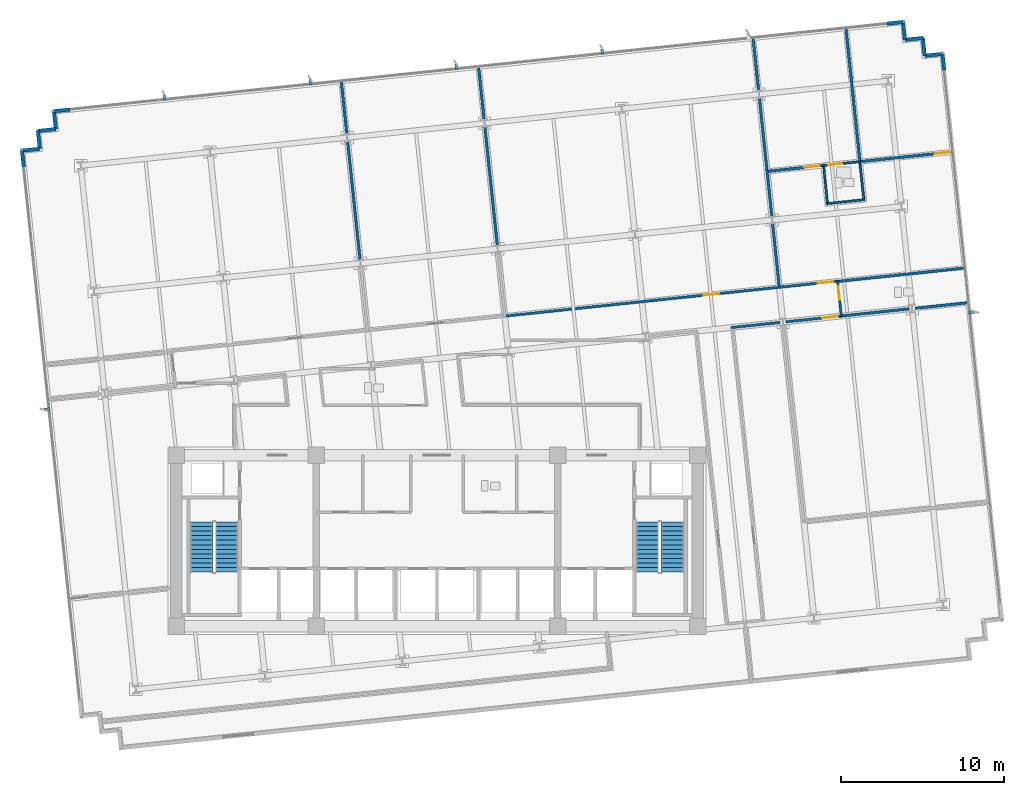
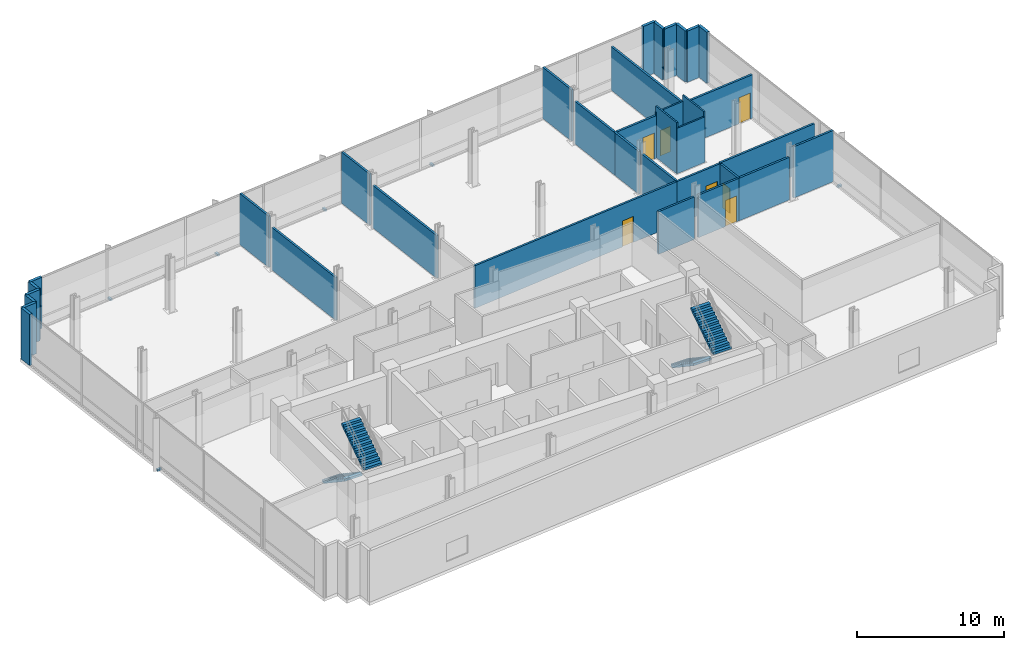
# One storey, part 14 of 20: 35 walls, 7 doors, 6 discrete accessories, 4 stair flights, 7 openings, 2 elements without a shape of their own.
"""IFC4 building model written with IfcOpenShell, lengths in metres."""

from ifc_helpers import new_model, si_unit, direction, frame, frame_2d, origin, origin_2d, place, context, subcontext, project, spatial, polyline, rectangle, outline, extrude, material, layer, layer_set, type_object, element, fill, aggregate, save


model = new_model("IFC4")

# Units and contexts
model_context = context("Model", 3, precision=1e-05, world=origin(), true_north=direction((0.0, 1.0)))
body_context = subcontext(model_context, "Body", "Model", "MODEL_VIEW")
ifc_project = project(units=[si_unit("LENGTHUNIT", "METRE"), si_unit("AREAUNIT", "SQUARE_METRE"), si_unit("VOLUMEUNIT", "CUBIC_METRE"), si_unit("PLANEANGLEUNIT", "RADIAN"), si_unit("MASSUNIT", "GRAM", prefix="KILO")], contexts=[model_context])

# Site, building, storey
site_placement = place(None, origin())
site = spatial("IfcSite", under=ifc_project, at=site_placement, CompositionType="ELEMENT")
building_placement = place(site_placement, origin())
building = spatial("IfcBuilding", under=site, at=building_placement, Name="Solmavex Isthmus Hotel", CompositionType="ELEMENT")
storey_placement = place(building_placement, frame((0.0, 0.0, 101.85009765625)))
storey = spatial("IfcBuildingStorey", under=building, at=storey_placement, Name="L27", CompositionType="ELEMENT", Elevation=101.85009765625)

# Walls
ifc_material_1 = material(Name="Precast Concrete C40/50", Category="concrete")
ifc_layer_1 = layer(ifc_material_1, 0.25)
ifc_layer_set_1 = layer_set([ifc_layer_1], Name="Precast Concrete C40/50")
wall_type_1 = type_object("IfcWallType", Name="EW-TWR-250", PredefinedType="STANDARD", material=ifc_layer_set_1)
wall_1_placement = place(storey_placement, frame((-25.35400390625, 15.1923828125, 0.0), z_axis=(0.0, 0.0, 1.0), x_axis=(-0.104556418955, 0.99451895671, 0.0)))
element("IfcWall", 1, at=wall_1_placement, inside=storey, type_object=wall_type_1, Name="Serrated Corner Facade Panel L27-07", PredefinedType="STANDARD", context=body_context, shape_type="SweptSolid", body=[
    extrude(rectangle(XDim=0.989990234375, YDim=0.219970703125, at=frame_2d((0.4951171875, 0.0))), origin(), (0.0, 0.0, 1.0), 4.239990234375),
])
wall_2_placement = place(storey_placement, frame((-25.45751953125, 16.177001953125, 0.0), z_axis=(0.0, 0.0, 1.0), x_axis=(0.994521251134, 0.104534592565, 0.0)))
element("IfcWall", 2, at=wall_2_placement, inside=storey, type_object=wall_type_1, Name="Serrated Corner Facade Panel L27-08", PredefinedType="STANDARD", context=body_context, shape_type="SweptSolid", body=[
    extrude(rectangle(XDim=1.10009765625, YDim=0.219970703125, at=frame_2d((0.550048828125, 0.0))), origin(), (0.0, 0.0, 1.0), 4.239990234375),
])
wall_3_placement = place(storey_placement, frame((-24.363525390625, 16.2919921875, 0.0), z_axis=(0.0, 0.0, 1.0), x_axis=(-0.104557671117, 0.994518825066, 0.0)))
element("IfcWall", 3, at=wall_3_placement, inside=storey, type_object=wall_type_1, Name="Serrated Corner Facade Panel L27-09", PredefinedType="STANDARD", context=body_context, shape_type="SweptSolid", body=[
    extrude(rectangle(XDim=1.099853515625, YDim=0.219970703125, at=frame_2d((0.5498046875, 0.0))), origin(), (0.0, 0.0, 1.0), 4.239990234375),
])
for number, where, z_axis, x_axis, name in (
    (4, (-24.478515625, 17.3857421875, 0.0), (0.0, 0.0, 1.0), (0.994521251134, 0.104534592565, 0.0), "Serrated Corner Facade Panel L27-10"),
    (5, (-23.384521484375, 17.500732421875, 0.0), (0.0, 0.0, 1.0), (-0.104534592565, 0.994521251134, 0.0), "Serrated Corner Facade Panel L27-11"),
):
    element("IfcWall", number, at=place(storey_placement, frame(where, z_axis=z_axis, x_axis=x_axis)), inside=storey, type_object=wall_type_1, Name=name, PredefinedType="STANDARD", context=body_context, shape_type="SweptSolid", body=[
        extrude(rectangle(XDim=1.10009765625, YDim=0.219970703125, at=frame_2d((0.550048828125, 0.0))), origin(), (0.0, 0.0, 1.0), 4.239990234375),
    ])
wall_4_placement = place(storey_placement, frame((-23.49951171875, 18.5947265625, 0.0), z_axis=(0.0, 0.0, 1.0), x_axis=(0.99451895671, 0.104556418955, 0.0)))
element("IfcWall", 6, at=wall_4_placement, inside=storey, type_object=wall_type_1, Name="Serrated Corner Facade Panel L27-12", PredefinedType="STANDARD", context=body_context, shape_type="SweptSolid", body=[
    extrude(rectangle(XDim=0.989990234375, YDim=0.219970703125, at=frame_2d((0.4951171875, 0.0))), origin(), (0.0, 0.0, 1.0), 4.239990234375),
])
wall_5_placement = place(storey_placement, frame((27.609130859375, 23.966552734375, 0.0), z_axis=(0.0, 0.0, 1.0), x_axis=(0.994516259927, 0.104582067016, 0.0)))
element("IfcWall", 7, at=wall_5_placement, inside=storey, type_object=wall_type_1, Name="Serrated Corner Facade Panel L27-14", PredefinedType="STANDARD", context=body_context, shape_type="SweptSolid", body=[
    extrude(rectangle(XDim=0.98974609375, YDim=0.219970703125, at=frame_2d((0.494873046875, 0.0))), origin(), (0.0, 0.0, 1.0), 4.239990234375),
])
for number, where, z_axis, x_axis, name in (
    (8, (28.593505859375, 24.070068359375, 0.0), (0.0, 0.0, 1.0), (0.104534592565, -0.994521251134, 0.0), "Serrated Corner Facade Panel L27-15"),
    (9, (28.70849609375, 22.97607421875, 0.0), (0.0, 0.0, 1.0), (0.994521251134, 0.104534592565, 0.0), "Serrated Corner Facade Panel L27-16"),
    (10, (29.802490234375, 23.091064453125, 0.0), (0.0, 0.0, 1.0), (0.104534592565, -0.994521251134, 0.0), "Serrated Corner Facade Panel L27-17"),
    (11, (29.91748046875, 21.9970703125, 0.0), (0.0, 0.0, 1.0), (0.994521251134, 0.104534592565, 0.0), "Serrated Corner Facade Panel L27-18"),
):
    element("IfcWall", number, at=place(storey_placement, frame(where, z_axis=z_axis, x_axis=x_axis)), inside=storey, type_object=wall_type_1, Name=name, PredefinedType="STANDARD", context=body_context, shape_type="SweptSolid", body=[
        extrude(rectangle(XDim=1.10009765625, YDim=0.219970703125, at=frame_2d((0.550048828125, 0.0))), origin(), (0.0, 0.0, 1.0), 4.239990234375),
    ])
wall_6_placement = place(storey_placement, frame((31.011474609375, 22.112060546875, 0.0), z_axis=(0.0, 0.0, 1.0), x_axis=(0.104556418955, -0.99451895671, 0.0)))
element("IfcWall", 12, at=wall_6_placement, inside=storey, type_object=wall_type_1, Name="Serrated Corner Facade Panel L27-19", PredefinedType="STANDARD", context=body_context, shape_type="SweptSolid", body=[
    extrude(rectangle(XDim=0.989990234375, YDim=0.219970703125, at=frame_2d((0.4951171875, 0.0))), origin(), (0.0, 0.0, 1.0), 4.239990234375),
])
ifc_material_2 = material(Name="Gypsum plasterboard lining", Category="gypsum")
ifc_layer_2 = layer(ifc_material_2, 0.159912109375)
ifc_layer_set_2 = layer_set([ifc_layer_2], Name="Gypsum plasterboard lining")
wall_type_2 = type_object("IfcWallType", Name="IW-COMP-160", PredefinedType="PARTITIONING", material=ifc_layer_set_2)
wall_7_placement = place(storey_placement, frame((-5.875732421875, 20.477294921875, 0.0), z_axis=(0.0, 0.0, 1.0), x_axis=(0.10455555946, -0.99451904707, 0.0)))
element("IfcWall", 13, at=wall_7_placement, inside=storey, type_object=wall_type_2, Name="Interior Partition Wall W-L27-P029", PredefinedType="PARTITIONING", context=body_context, shape_type="SweptSolid", body=[
    extrude(rectangle(XDim=3.34375, YDim=0.159912109375, at=frame_2d((1.671875, 0.0))), origin(), (0.0, 0.0, 1.0), 4.239990234375),
])
wall_8_placement = place(storey_placement, frame((-5.4892578125, 16.80126953125, 0.0), z_axis=(0.0, 0.0, 1.0), x_axis=(0.104526770886, -0.994522073243, 0.0)))
element("IfcWall", 14, at=wall_8_placement, inside=storey, type_object=wall_type_2, Name="Interior Partition Wall W-L27-P030", PredefinedType="PARTITIONING", context=body_context, shape_type="SweptSolid", body=[
    extrude(rectangle(XDim=7.3994140625, YDim=0.159912109375, at=frame_2d((3.69970703125, 0.0))), origin(), (0.0, 0.0, 1.0), 3.529296875),
])
wall_9_placement = place(storey_placement, frame((2.556396484375, 21.242919921875, 0.0), z_axis=(0.0, 0.0, 1.0), x_axis=(0.104586228345, -0.994515822318, 0.0)))
element("IfcWall", 15, at=wall_9_placement, inside=storey, type_object=wall_type_2, Name="Interior Partition Wall W-L27-P033", PredefinedType="PARTITIONING", context=body_context, shape_type="SweptSolid", body=[
    extrude(rectangle(XDim=3.2236328125, YDim=0.159912109375, at=frame_2d((1.61181640625, 0.0))), origin(), (0.0, 0.0, 1.0), 4.239990234375),
])
wall_10_placement = place(storey_placement, frame((2.93017578125, 17.686279296875, 0.0), z_axis=(0.0, 0.0, 1.0), x_axis=(0.104555973927, -0.994519003497, 0.0)))
element("IfcWall", 16, at=wall_10_placement, inside=storey, type_object=wall_type_2, Name="Interior Partition Wall W-L27-P034", PredefinedType="PARTITIONING", context=body_context, shape_type="SweptSolid", body=[
    extrude(rectangle(XDim=7.399658203125, YDim=0.159912109375, at=frame_2d((3.69970703125, 0.0))), origin(), (0.0, 0.0, 1.0), 3.529296875),
])
wall_11_placement = place(storey_placement, frame((20.2392578125, 14.987060546875, 0.0), z_axis=(0.0, 0.0, 1.0), x_axis=(0.104518588235, -0.994522933226, 0.0)))
element("IfcWall", 17, at=wall_11_placement, inside=storey, type_object=wall_type_2, Name="Interior Partition Wall W-L27-P036", PredefinedType="PARTITIONING", context=body_context, shape_type="SweptSolid", body=[
    extrude(rectangle(XDim=2.90576171875, YDim=0.159912109375, at=frame_2d((1.452880859375, 0.0))), origin(), (0.0, 0.0, 1.0), 3.529296875),
])
wall_12_placement = place(storey_placement, frame((20.579833984375, 11.74658203125, 0.0), z_axis=(0.0, 0.0, 1.0), x_axis=(0.104551732594, -0.994519449388, 0.0)))
element("IfcWall", 18, at=wall_12_placement, inside=storey, type_object=wall_type_2, Name="Interior Partition Wall W-L27-P037", PredefinedType="PARTITIONING", context=body_context, shape_type="SweptSolid", body=[
    extrude(rectangle(XDim=4.01171875, YDim=0.159912109375, at=frame_2d((2.005859375, 0.0))), origin(), (0.0, 0.0, 1.0), 3.529296875),
])
wall_13_placement = place(storey_placement, frame((19.383056640625, 23.132080078125, 0.0), z_axis=(0.0, 0.0, 1.0), x_axis=(0.10455555946, -0.99451904707, 0.0)))
element("IfcWall", 19, at=wall_13_placement, inside=storey, type_object=wall_type_2, Name="Interior Partition Wall W-L27-P038", PredefinedType="PARTITIONING", context=body_context, shape_type="SweptSolid", body=[
    extrude(rectangle(XDim=3.34375, YDim=0.159912109375, at=frame_2d((1.671875, 0.0))), origin(), (0.0, 0.0, 1.0), 4.239990234375),
])
wall_14_placement = place(storey_placement, frame((19.76953125, 19.456298828125, 0.0), z_axis=(0.0, 0.0, 1.0), x_axis=(0.1045156188, -0.994523245292, 0.0)))
element("IfcWall", 20, at=wall_14_placement, inside=storey, type_object=wall_type_2, Name="Interior Partition Wall W-L27-P039", PredefinedType="PARTITIONING", context=body_context, shape_type="SweptSolid", body=[
    extrude(rectangle(XDim=4.65771484375, YDim=0.159912109375, at=frame_2d((2.328857421875, 0.0))), origin(), (0.0, 0.0, 1.0), 3.529296875),
])

# Wall, opening, door
wall_15_placement = place(storey_placement, frame((20.2080078125, 14.9013671875, 0.0), z_axis=(0.0, 0.0, 1.0), x_axis=(0.994528326067, 0.104467261141, 0.0)))
wall_15 = element("IfcWall", 21, at=wall_15_placement, inside=storey, type_object=wall_type_2, Name="Interior Partition Wall W-L27-P040", PredefinedType="PARTITIONING", context=body_context, shape_type="SweptSolid", body=[
    extrude(rectangle(XDim=3.56396484375, YDim=0.159912109375, at=frame_2d((1.781982421875, 0.0))), origin(), (0.0, 0.0, 1.0), 3.529296875),
])
opening_1_placement = place(wall_15_placement, frame((2.331298828125, 0.0, 0.0)))
opening_1 = element("IfcOpeningElement", 22, at=opening_1_placement, cuts=wall_15, Name="Opening ID-C095", PredefinedType="OPENING", context=body_context, shape_type="SweptSolid", body=[
    extrude(rectangle(XDim=0.949951171875, YDim=2.14990234375, at=frame_2d((0.47509765625, 1.074951171875))), frame((0.0, 0.08984375, 0.0), z_axis=(0.0, -1.0, 0.0), x_axis=(1.0, 0.0, 0.0)), (0.0, 0.0, 1.0), 0.179931640625),
])
ifc_material_3 = material(Name="Hardwood timber", Category="wood")
door_type_1 = type_object("IfcDoorType", Name="IDR-FD60-0950", OperationType="NOTDEFINED", PredefinedType="DOOR", material=ifc_material_3)
door_1_placement = place(opening_1_placement, origin())
door_1 = element("IfcDoor", 23, at=door_1_placement, inside=storey, type_object=door_type_1, Name="Ambassador Panorama Suite Master Bedroom Door L27-05", OperationType="SINGLE_SWING_LEFT", OverallHeight=2.14990234375, OverallWidth=0.949951171875, PredefinedType="DOOR", context=body_context, shape_type="SweptSolid", body=[
    extrude(rectangle(XDim=0.949951171875, YDim=2.14990234375, at=frame_2d((0.47509765625, 1.074951171875))), frame((0.0, 0.02490234375, 0.0), z_axis=(0.0, -1.0, 0.0), x_axis=(1.0, 0.0, 0.0)), (0.0, 0.0, 1.0), 0.050048828125),
])
fill(opening_1, door_1)

wall_16_placement = place(storey_placement, frame((25.890869140625, 15.49853515625, 0.0), z_axis=(0.0, 0.0, 1.0), x_axis=(0.994522696848, 0.104520837413, 0.0)))
wall_16 = element("IfcWall", 24, at=wall_16_placement, inside=storey, type_object=wall_type_2, Name="Interior Partition Wall W-L27-P041", PredefinedType="PARTITIONING", context=body_context, shape_type="SweptSolid", body=[
    extrude(rectangle(XDim=5.813720703125, YDim=0.159912109375, at=frame_2d((2.90673828125, 0.0))), origin(), (0.0, 0.0, 1.0), 3.60302734375),
])
opening_2_placement = place(wall_16_placement, frame((4.654052734375, 0.0, 0.0)))
opening_2 = element("IfcOpeningElement", 25, at=opening_2_placement, cuts=wall_16, Name="Opening ID-C095", PredefinedType="OPENING", context=body_context, shape_type="SweptSolid", body=[
    extrude(rectangle(XDim=0.949951171875, YDim=2.14990234375, at=frame_2d((0.47509765625, 1.074951171875))), frame((0.0, 0.08984375, 0.0), z_axis=(0.0, -1.0, 0.0), x_axis=(1.0, 0.0, 0.0)), (0.0, 0.0, 1.0), 0.179931640625),
])
door_2_placement = place(opening_2_placement, origin())
door_2 = element("IfcDoor", 26, at=door_2_placement, inside=storey, type_object=door_type_1, Name="Ambassador Panorama Suite Panorama Sitting Study Door L27-06", OperationType="SINGLE_SWING_RIGHT", OverallHeight=2.14990234375, OverallWidth=0.949951171875, PredefinedType="DOOR", context=body_context, shape_type="SweptSolid", body=[
    extrude(rectangle(XDim=0.949951171875, YDim=2.14990234375, at=frame_2d((0.47509765625, 1.074951171875))), frame((0.0, 0.02490234375, 0.0), z_axis=(0.0, -1.0, 0.0), x_axis=(1.0, 0.0, 0.0)), (0.0, 0.0, 1.0), 0.050048828125),
])
fill(opening_2, door_2)

# Walls
wall_17_placement = place(storey_placement, frame((32.422119140625, 8.9775390625, 0.0), z_axis=(0.0, 0.0, 1.0), x_axis=(-0.994522987852, -0.104518068455, 0.0)))
element("IfcWall", 27, at=wall_17_placement, inside=storey, type_object=wall_type_2, Name="Interior Partition Wall W-L27-P045", PredefinedType="PARTITIONING", context=body_context, shape_type="SweptSolid", body=[
    extrude(rectangle(XDim=7.927978515625, YDim=0.159912109375, at=frame_2d((3.9638671875, 0.0))), origin(), (0.0, 0.0, 1.0), 3.60302734375),
])
wall_18_placement = place(storey_placement, frame((25.075927734375, 23.73046875, 0.0), z_axis=(0.0, 0.0, 1.0), x_axis=(0.104504368376, -0.994524427548, 0.0)))
element("IfcWall", 28, at=wall_18_placement, inside=storey, type_object=wall_type_2, Name="Interior Partition Wall W-L27-P046", PredefinedType="PARTITIONING", context=body_context, shape_type="SweptSolid", body=[
    extrude(rectangle(XDim=8.31201171875, YDim=0.159912109375, at=frame_2d((4.156005859375, 0.0))), origin(), (0.0, 0.0, 1.0), 3.60302734375),
])
wall_19_placement = place(storey_placement, frame((28.96875, 6.472900390625, 0.0), z_axis=(0.0, 0.0, 1.0), x_axis=(-0.994520616656, -0.104540628691, 0.0)))
element("IfcWall", 29, at=wall_19_placement, inside=storey, type_object=wall_type_2, Name="Interior Partition Wall W-L27-P048", PredefinedType="PARTITIONING", context=body_context, shape_type="SweptSolid", body=[
    extrude(rectangle(XDim=4.231689453125, YDim=0.159912109375, at=frame_2d((2.11572265625, 0.0))), origin(), (0.0, 0.0, 1.0), 3.529296875),
])
wall_20_placement = place(storey_placement, frame((32.644775390625, 6.859130859375, 0.0), z_axis=(0.0, 0.0, 1.0), x_axis=(-0.994526636649, -0.10448334315, 0.0)))
element("IfcWall", 30, at=wall_20_placement, inside=storey, type_object=wall_type_2, Name="Interior Partition Wall W-L27-P049", PredefinedType="PARTITIONING", context=body_context, shape_type="SweptSolid", body=[
    extrude(rectangle(XDim=3.34375, YDim=0.159912109375, at=frame_2d((1.671875, 0.0))), origin(), (0.0, 0.0, 1.0), 4.239990234375),
])

# Wall, opening, door
ifc_layer_3 = layer(ifc_material_2, 0.14990234375)
ifc_layer_set_3 = layer_set([ifc_layer_3], Name="Gypsum plasterboard lining")
wall_type_3 = type_object("IfcWallType", Name="IW-CORR-150", PredefinedType="PARTITIONING", material=ifc_layer_set_3)
wall_21_placement = place(storey_placement, frame((4.07421875, 6.01806640625, 0.0), z_axis=(0.0, 0.0, 1.0), x_axis=(0.994521404201, 0.104533136308, 0.0)))
wall_21 = element("IfcWall", 31, at=wall_21_placement, inside=storey, type_object=wall_type_3, Name="Interior Partition Wall W-L27-P003", PredefinedType="PARTITIONING", context=body_context, shape_type="SweptSolid", body=[
    extrude(rectangle(XDim=17.09619140625, YDim=0.14990234375, at=frame_2d((8.548095703125, 0.0))), origin(), (0.0, 0.0, 1.0), 3.529296875),
])
opening_3_placement = place(wall_21_placement, frame((12.361083984375, 0.0, 0.0)))
opening_3 = element("IfcOpeningElement", 32, at=opening_3_placement, cuts=wall_21, Name="Opening ID-C095", PredefinedType="OPENING", context=body_context, shape_type="SweptSolid", body=[
    extrude(rectangle(XDim=0.949951171875, YDim=2.14990234375, at=frame_2d((0.47509765625, 1.074951171875))), frame((0.0, 0.0849609375, 0.0), z_axis=(0.0, -1.0, 0.0), x_axis=(1.0, 0.0, 0.0)), (0.0, 0.0, 1.0), 0.169921875),
])
door_3_placement = place(opening_3_placement, origin())
door_3 = element("IfcDoor", 33, at=door_3_placement, inside=storey, type_object=door_type_1, Name="Corporate Briefing Office Door L27-03", OperationType="SINGLE_SWING_LEFT", OverallHeight=2.14990234375, OverallWidth=0.949951171875, PredefinedType="DOOR", context=body_context, shape_type="SweptSolid", body=[
    extrude(rectangle(XDim=0.949951171875, YDim=2.14990234375, at=frame_2d((0.47509765625, 1.074951171875))), frame((0.0, 0.02490234375, 0.0), z_axis=(0.0, -1.0, 0.0), x_axis=(1.0, 0.0, 0.0)), (0.0, 0.0, 1.0), 0.050048828125),
])
fill(opening_3, door_3)

wall_22_placement = place(storey_placement, frame((20.913330078125, 7.7880859375, 0.0), z_axis=(0.0, 0.0, 1.0), x_axis=(0.994525920558, 0.104490159046, 0.0)))
wall_22 = element("IfcWall", 34, at=wall_22_placement, inside=storey, type_object=wall_type_3, Name="Interior Partition Wall W-L27-P004", PredefinedType="PARTITIONING", context=body_context, shape_type="SweptSolid", body=[
    extrude(rectangle(XDim=3.721923828125, YDim=0.14990234375, at=frame_2d((1.86083984375, 0.0))), origin(), (0.0, 0.0, 1.0), 3.529296875),
])
opening_4_placement = place(wall_22_placement, frame((2.456787109375, 0.0, 0.0)))
opening_4 = element("IfcOpeningElement", 35, at=opening_4_placement, cuts=wall_22, Name="Opening ID-C095", PredefinedType="OPENING", context=body_context, shape_type="SweptSolid", body=[
    extrude(rectangle(XDim=0.949951171875, YDim=2.14990234375, at=frame_2d((0.47509765625, 1.074951171875))), frame((0.0, 0.0849609375, 0.0), z_axis=(0.0, -1.0, 0.0), x_axis=(1.0, 0.0, 0.0)), (0.0, 0.0, 1.0), 0.169921875),
])
door_4_placement = place(opening_4_placement, origin())
door_4 = element("IfcDoor", 36, at=door_4_placement, inside=storey, type_object=door_type_1, Name="Ambassador Panorama Suite Living Salon Door L27-04", OperationType="SINGLE_SWING_RIGHT", OverallHeight=2.14990234375, OverallWidth=0.949951171875, PredefinedType="DOOR", context=body_context, shape_type="SweptSolid", body=[
    extrude(rectangle(XDim=0.949951171875, YDim=2.14990234375, at=frame_2d((0.47509765625, 1.074951171875))), frame((0.0, 0.02490234375, 0.0), z_axis=(0.0, -1.0, 0.0), x_axis=(1.0, 0.0, 0.0)), (0.0, 0.0, 1.0), 0.050048828125),
])
fill(opening_4, door_4)

wall_23_placement = place(storey_placement, frame((24.5732421875, 8.19287109375, 0.0), z_axis=(0.0, 0.0, 1.0), x_axis=(0.104500773718, -0.994524805267, 0.0)))
wall_23 = element("IfcWall", 37, at=wall_23_placement, inside=storey, type_object=wall_type_3, Name="Interior Partition Wall W-L27-P010", PredefinedType="PARTITIONING", context=body_context, shape_type="SweptSolid", body=[
    extrude(rectangle(XDim=2.210205078125, YDim=0.14990234375, at=frame_2d((1.10498046875, 0.0))), origin(), (0.0, 0.0, 1.0), 3.529296875),
])
opening_5_placement = place(wall_23_placement, frame((0.322265625, 0.0, 0.0)))
opening_5 = element("IfcOpeningElement", 38, at=opening_5_placement, cuts=wall_23, Name="Opening ID-R085", PredefinedType="OPENING", context=body_context, shape_type="SweptSolid", body=[
    extrude(rectangle(XDim=0.85009765625, YDim=2.050048828125, at=frame_2d((0.425048828125, 1.02490234375))), frame((0.0, 0.0849609375, 0.0), z_axis=(0.0, -1.0, 0.0), x_axis=(1.0, 0.0, 0.0)), (0.0, 0.0, 1.0), 0.169921875),
])
ifc_material_4 = material(Name="Steel ASTM A500 Grade C", Category="steel")
door_type_2 = type_object("IfcDoorType", Name="IDR-FD60-0850", OperationType="NOTDEFINED", PredefinedType="DOOR", material=ifc_material_4)
door_5_placement = place(opening_5_placement, origin())
door_5 = element("IfcDoor", 39, at=door_5_placement, inside=storey, type_object=door_type_2, Name="Public Restroom WC Door L27-09", OperationType="SINGLE_SWING_LEFT", OverallHeight=2.050048828125, OverallWidth=0.85009765625, PredefinedType="DOOR", context=body_context, shape_type="SweptSolid", body=[
    extrude(rectangle(XDim=0.85009765625, YDim=2.050048828125, at=frame_2d((0.425048828125, 1.02490234375))), frame((0.0, 0.02490234375, 0.0), z_axis=(0.0, -1.0, 0.0), x_axis=(1.0, 0.0, 0.0)), (0.0, 0.0, 1.0), 0.050048828125),
])
fill(opening_5, door_5)

wall_24_placement = place(storey_placement, frame((24.83984375, 6.038818359375, 0.0), z_axis=(0.0, 0.0, 1.0), x_axis=(-0.994522047476, -0.104527016046, 0.0)))
wall_24 = element("IfcWall", 40, at=wall_24_placement, inside=storey, type_object=wall_type_3, Name="Interior Partition Wall W-L27-P017", PredefinedType="PARTITIONING", context=body_context, shape_type="SweptSolid", body=[
    extrude(rectangle(XDim=3.4638671875, YDim=0.14990234375, at=frame_2d((1.73193359375, 0.0))), origin(), (0.0, 0.0, 1.0), 3.529296875),
])
opening_6_placement = place(wall_24_placement, frame((0.26220703125, 0.0, 0.0)))
opening_6 = element("IfcOpeningElement", 41, at=opening_6_placement, cuts=wall_24, Name="Opening ID-C095", PredefinedType="OPENING", context=body_context, shape_type="SweptSolid", body=[
    extrude(rectangle(XDim=0.949951171875, YDim=2.14990234375, at=frame_2d((0.47509765625, 1.074951171875))), frame((0.0, 0.0849609375, 0.0), z_axis=(0.0, -1.0, 0.0), x_axis=(1.0, 0.0, 0.0)), (0.0, 0.0, 1.0), 0.169921875),
])
door_6_placement = place(opening_6_placement, frame((0.949951171875, 0.0, 0.0), z_axis=(0.0, 0.0, 1.0), x_axis=(-1.0, 0.0, 0.0)))
door_6 = element("IfcDoor", 42, at=door_6_placement, inside=storey, type_object=door_type_1, Name="Servery Kitchen Door L27-12", OperationType="SINGLE_SWING_RIGHT", OverallHeight=2.14990234375, OverallWidth=0.949951171875, PredefinedType="DOOR", context=body_context, shape_type="SweptSolid", body=[
    extrude(rectangle(XDim=0.949951171875, YDim=2.14990234375, at=frame_2d((0.47509765625, 1.074951171875))), frame((0.0, 0.02490234375, 0.0), z_axis=(0.0, -1.0, 0.0), x_axis=(1.0, 0.0, 0.0)), (0.0, 0.0, 1.0), 0.050048828125),
])
fill(opening_6, door_6)

# Walls
wall_25_placement = place(storey_placement, frame((21.04443359375, 5.639892578125, 0.0), z_axis=(0.0, 0.0, 1.0), x_axis=(-0.994527160177, -0.104478359817, 0.0)))
element("IfcWall", 43, at=wall_25_placement, inside=storey, type_object=wall_type_3, Name="Interior Partition Wall W-L27-P026", PredefinedType="PARTITIONING", context=body_context, shape_type="SweptSolid", body=[
    extrude(rectangle(XDim=3.016845703125, YDim=0.14990234375, at=frame_2d((1.50830078125, 0.0))), origin(), (0.0, 0.0, 1.0), 3.529296875),
])
ifc_layer_4 = layer(ifc_material_2, 0.1201171875)
ifc_layer_set_4 = layer_set([ifc_layer_4], Name="Gypsum plasterboard lining")
wall_type_4 = type_object("IfcWallType", Name="IW-PART-120", PredefinedType="PARTITIONING", material=ifc_layer_set_4)
wall_26_placement = place(storey_placement, frame((23.708740234375, 15.309326171875, 0.0), z_axis=(0.0, 0.0, 1.0), x_axis=(0.100269653479, -0.994960299003, 0.0)))
element("IfcWall", 44, at=wall_26_placement, inside=storey, type_object=wall_type_4, Name="Interior Partition Wall W-L27-P042", PredefinedType="PARTITIONING", context=body_context, shape_type="SweptSolid", body=[
    extrude(rectangle(XDim=2.429931640625, YDim=0.1201171875, at=frame_2d((1.21484375, 0.0))), origin(), (0.0, 0.0, 1.0), 4.239990234375),
])
wall_27_placement = place(storey_placement, frame((23.90869140625, 12.92724609375, 0.0), z_axis=(0.0, 0.0, 1.0), x_axis=(0.994516930255, 0.104575692382, 0.0)))
element("IfcWall", 45, at=wall_27_placement, inside=storey, type_object=wall_type_4, Name="Interior Partition Wall W-L27-P043", PredefinedType="PARTITIONING", context=body_context, shape_type="SweptSolid", body=[
    extrude(rectangle(XDim=2.329833984375, YDim=0.1201171875, at=frame_2d((1.1650390625, 0.0))), origin(), (0.0, 0.0, 1.0), 3.76806640625),
])
wall_28_placement = place(storey_placement, frame((26.1904296875, 13.126953125, 0.0), z_axis=(0.0, 0.0, 1.0), x_axis=(-0.108711078051, 0.994073388392, 0.0)))
element("IfcWall", 46, at=wall_28_placement, inside=storey, type_object=wall_type_4, Name="Interior Partition Wall W-L27-P044", PredefinedType="PARTITIONING", context=body_context, shape_type="SweptSolid", body=[
    extrude(rectangle(XDim=2.429931640625, YDim=0.1201171875, at=frame_2d((1.21484375, 0.0))), origin(), (0.0, 0.0, 1.0), 4.239990234375),
])

# Wall, opening, door
wall_29_placement = place(storey_placement, frame((25.980224609375, 15.508056640625, 0.0), z_axis=(0.0, 0.0, 1.0), x_axis=(-0.994516727228, -0.104577623149, 0.0)))
wall_29 = element("IfcWall", 47, at=wall_29_placement, inside=storey, type_object=wall_type_4, Name="Interior Partition Wall W-L27-P047", PredefinedType="PARTITIONING", context=body_context, shape_type="SweptSolid", body=[
    extrude(rectangle(XDim=2.371826171875, YDim=0.1201171875, at=frame_2d((1.18603515625, 0.0))), origin(), (0.0, 0.0, 1.0), 3.76806640625),
])
opening_7_placement = place(wall_29_placement, frame((1.14599609375, 0.0, 0.0)))
opening_7 = element("IfcOpeningElement", 48, at=opening_7_placement, cuts=wall_29, Name="Opening ID-U085", PredefinedType="OPENING", context=body_context, shape_type="SweptSolid", body=[
    extrude(rectangle(XDim=0.85009765625, YDim=2.10009765625, at=frame_2d((0.425048828125, 1.050048828125))), frame((0.0, 0.070068359375, 0.0), z_axis=(0.0, -1.0, 0.0), x_axis=(1.0, 0.0, 0.0)), (0.0, 0.0, 1.0), 0.14013671875),
])
door_type_3 = type_object("IfcDoorType", Name="IDR-UNR-0850", OperationType="NOTDEFINED", PredefinedType="DOOR", material=ifc_material_3)
door_7_placement = place(opening_7_placement, frame((0.85009765625, 0.0, 0.0), z_axis=(0.0, 0.0, 1.0), x_axis=(-1.0, 0.0, 0.0)))
door_7 = element("IfcDoor", 49, at=door_7_placement, inside=storey, type_object=door_type_3, Name="En-suite Bathroom Door L27-07", OperationType="SINGLE_SWING_LEFT", OverallHeight=2.10009765625, OverallWidth=0.85009765625, PredefinedType="DOOR", context=body_context, shape_type="SweptSolid", body=[
    extrude(rectangle(XDim=0.85009765625, YDim=2.10009765625, at=frame_2d((0.425048828125, 1.050048828125))), frame((0.0, 0.02490234375, 0.0), z_axis=(0.0, -1.0, 0.0), x_axis=(1.0, 0.0, 0.0)), (0.0, 0.0, 1.0), 0.050048828125),
])
fill(opening_7, door_7)

# Stair, stair flights
ifc_material_5 = material(Name="Concrete C40/50", Category="concrete")
stair_type_1 = type_object("IfcStairType", Name="STR-ST-1", PredefinedType="HALF_TURN_STAIR", material=ifc_material_5)
stair_1_placement = place(storey_placement, origin())
stair_1 = element("IfcStair", 50, at=stair_1_placement, inside=storey, type_object=stair_type_1, Name="L27 Protected Exit Stair ST-1", PredefinedType="HALF_TURN_STAIR")
stair_flight_type_1 = type_object("IfcStairFlightType", Name="SFL-ST-1", PredefinedType="STRAIGHT", material=ifc_material_5)
stair_flight_1_placement = place(storey_placement, frame((-14.449951171875, -6.60009765625, 0.0), z_axis=(0.0, 0.0, 1.0), x_axis=(0.0, -1.0, 0.0)))
stair_flight_1 = element("IfcStairFlight", 51, at=stair_flight_1_placement, type_object=stair_flight_type_1, Name="ST-1 flight 1", NumberOfRisers=12, NumberOfTreads=11, PredefinedType="STRAIGHT", RiserHeight=0.1875, TreadLength=0.28, context=body_context, shape_type="SweptSolid", body=[
    extrude(outline(polyline([(0.0, 0.0), (0.0, 0.1875), (0.280029296875, 0.1875), (0.280029296875, 0.375), (0.56005859375, 0.375), (0.56005859375, 0.5625), (0.840087890625, 0.5625), (0.840087890625, 0.75), (1.1201171875, 0.75), (1.1201171875, 0.9375), (1.39990234375, 0.9375), (1.39990234375, 1.125), (1.679931640625, 1.125), (1.679931640625, 1.3125), (1.9599609375, 1.3125), (1.9599609375, 1.5), (2.239990234375, 1.5), (2.239990234375, 1.6875), (2.52001953125, 1.6875), (2.52001953125, 1.875), (2.800048828125, 1.875), (2.800048828125, 2.0625), (3.080078125, 2.0625), (3.080078125, 2.25), (3.080078125, 1.882080078125), (0.26953125, 0.0), (0.0, 0.0)])), frame((0.0, 0.699951171875, 0.0), z_axis=(0.0, -1.0, 0.0), x_axis=(1.0, 0.0, 0.0)), (0.0, 0.0, 1.0), 1.39990234375),
])
stair_flight_2_placement = place(storey_placement, frame((-12.89990234375, -9.679931640625, 2.25), z_axis=(0.0, 0.0, 1.0), x_axis=(0.0, 1.0, 0.0)))
stair_flight_2 = element("IfcStairFlight", 52, at=stair_flight_2_placement, type_object=stair_flight_type_1, Name="ST-1 flight 2", NumberOfRisers=12, NumberOfTreads=11, PredefinedType="STRAIGHT", RiserHeight=0.1875, TreadLength=0.28, context=body_context, shape_type="SweptSolid", body=[
    extrude(outline(polyline([(0.0, 0.0), (0.0, 0.1875), (0.280029296875, 0.1875), (0.280029296875, 0.375), (0.56005859375, 0.375), (0.56005859375, 0.5625), (0.840087890625, 0.5625), (0.840087890625, 0.75), (1.1201171875, 0.75), (1.1201171875, 0.9375), (1.39990234375, 0.9375), (1.39990234375, 1.125), (1.679931640625, 1.125), (1.679931640625, 1.3125), (1.9599609375, 1.3125), (1.9599609375, 1.5), (2.239990234375, 1.5), (2.239990234375, 1.6875), (2.52001953125, 1.6875), (2.52001953125, 1.875), (2.800048828125, 1.875), (2.800048828125, 2.0625), (3.080078125, 2.0625), (3.080078125, 2.25), (3.080078125, 1.882080078125), (0.26953125, 0.0), (0.0, 0.0)])), frame((0.0, 0.699951171875, 0.0), z_axis=(0.0, -1.0, 0.0), x_axis=(1.0, 0.0, 0.0)), (0.0, 0.0, 1.0), 1.39990234375),
])
aggregate(stair_1, [stair_flight_1, stair_flight_2])

stair_type_2 = type_object("IfcStairType", Name="STR-ST-2", PredefinedType="HALF_TURN_STAIR", material=ifc_material_5)
stair_2_placement = place(storey_placement, origin())
stair_2 = element("IfcStair", 53, at=stair_2_placement, inside=storey, type_object=stair_type_2, Name="L27 Protected Exit Stair ST-2", PredefinedType="HALF_TURN_STAIR")
stair_flight_type_2 = type_object("IfcStairFlightType", Name="SFL-ST-2", PredefinedType="STRAIGHT", material=ifc_material_5)
stair_flight_3_placement = place(storey_placement, frame((12.89990234375, -6.60009765625, 0.0), z_axis=(0.0, 0.0, 1.0), x_axis=(0.0, -1.0, 0.0)))
stair_flight_3 = element("IfcStairFlight", 54, at=stair_flight_3_placement, type_object=stair_flight_type_2, Name="ST-2 flight 1", NumberOfRisers=12, NumberOfTreads=11, PredefinedType="STRAIGHT", RiserHeight=0.1875, TreadLength=0.28, context=body_context, shape_type="SweptSolid", body=[
    extrude(outline(polyline([(0.0, 0.0), (0.0, 0.1875), (0.280029296875, 0.1875), (0.280029296875, 0.375), (0.56005859375, 0.375), (0.56005859375, 0.5625), (0.840087890625, 0.5625), (0.840087890625, 0.75), (1.1201171875, 0.75), (1.1201171875, 0.9375), (1.39990234375, 0.9375), (1.39990234375, 1.125), (1.679931640625, 1.125), (1.679931640625, 1.3125), (1.9599609375, 1.3125), (1.9599609375, 1.5), (2.239990234375, 1.5), (2.239990234375, 1.6875), (2.52001953125, 1.6875), (2.52001953125, 1.875), (2.800048828125, 1.875), (2.800048828125, 2.0625), (3.080078125, 2.0625), (3.080078125, 2.25), (3.080078125, 1.882080078125), (0.26953125, 0.0), (0.0, 0.0)])), frame((0.0, 0.699951171875, 0.0), z_axis=(0.0, -1.0, 0.0), x_axis=(1.0, 0.0, 0.0)), (0.0, 0.0, 1.0), 1.39990234375),
])
stair_flight_4_placement = place(storey_placement, frame((14.449951171875, -9.679931640625, 2.25), z_axis=(0.0, 0.0, 1.0), x_axis=(0.0, 1.0, 0.0)))
stair_flight_4 = element("IfcStairFlight", 55, at=stair_flight_4_placement, type_object=stair_flight_type_2, Name="ST-2 flight 2", NumberOfRisers=12, NumberOfTreads=11, PredefinedType="STRAIGHT", RiserHeight=0.1875, TreadLength=0.28, context=body_context, shape_type="SweptSolid", body=[
    extrude(outline(polyline([(0.0, 0.0), (0.0, 0.1875), (0.280029296875, 0.1875), (0.280029296875, 0.375), (0.56005859375, 0.375), (0.56005859375, 0.5625), (0.840087890625, 0.5625), (0.840087890625, 0.75), (1.1201171875, 0.75), (1.1201171875, 0.9375), (1.39990234375, 0.9375), (1.39990234375, 1.125), (1.679931640625, 1.125), (1.679931640625, 1.3125), (1.9599609375, 1.3125), (1.9599609375, 1.5), (2.239990234375, 1.5), (2.239990234375, 1.6875), (2.52001953125, 1.6875), (2.52001953125, 1.875), (2.800048828125, 1.875), (2.800048828125, 2.0625), (3.080078125, 2.0625), (3.080078125, 2.25), (3.080078125, 1.882080078125), (0.26953125, 0.0), (0.0, 0.0)])), frame((0.0, 0.699951171875, 0.0), z_axis=(0.0, -1.0, 0.0), x_axis=(1.0, 0.0, 0.0)), (0.0, 0.0, 1.0), 1.39990234375),
])
aggregate(stair_2, [stair_flight_3, stair_flight_4])

# Discrete accessories
ifc_material_6 = material(Name="Steel ASTM A572 Grade 50", Category="steel")
discrete_accessory_type = type_object("IfcDiscreteAccessoryType", Name="ACC-BRK-FIN", PredefinedType="BRACKET", material=ifc_material_6)
for number, where, z_axis, x_axis, name in (
    (56, (-16.71044921875, 19.43896484375, -0.169921875), (0.0, 0.0, 1.0), (-0.104528463268, 0.994521895368, 0.0), "Facade Fin Support Bracket L27-N1"),
    (57, (-7.759765625, 20.3798828125, -0.169921875), (0.0, 0.0, 1.0), (-0.104528463268, 0.994521895368, 0.0), "Facade Fin Support Bracket L27-N2"),
    (58, (1.19091796875, 21.320556640625, -0.169921875), (0.0, 0.0, 1.0), (-0.104528463268, 0.994521895368, 0.0), "Facade Fin Support Bracket L27-N3"),
    (59, (10.1416015625, 22.26123046875, -0.169921875), (0.0, 0.0, 1.0), (-0.104528463268, 0.994521895368, 0.0), "Facade Fin Support Bracket L27-N4"),
    (60, (-23.920654296875, 0.310546875, -0.169921875), (0.0, 0.0, 1.0), (-0.994521895368, -0.104528463268, 0.0), "Facade Fin Support Bracket L27-W1"),
    (61, (32.806884765625, 6.27294921875, -0.169921875), (0.0, 0.0, 1.0), (0.994521895368, 0.104528463268, 0.0), "Facade Fin Support Bracket L27-E1"),
):
    element("IfcDiscreteAccessory", number, at=place(storey_placement, frame(where, z_axis=z_axis, x_axis=x_axis)), inside=storey, type_object=discrete_accessory_type, Name=name, PredefinedType="BRACKET", context=body_context, shape_type="SweptSolid", body=[
        extrude(rectangle(XDim=0.340087890625, YDim=0.179931640625, at=origin_2d()), origin(), (0.0, 0.0, 1.0), 0.159912109375),
    ])

save(model, "model.ifc")
